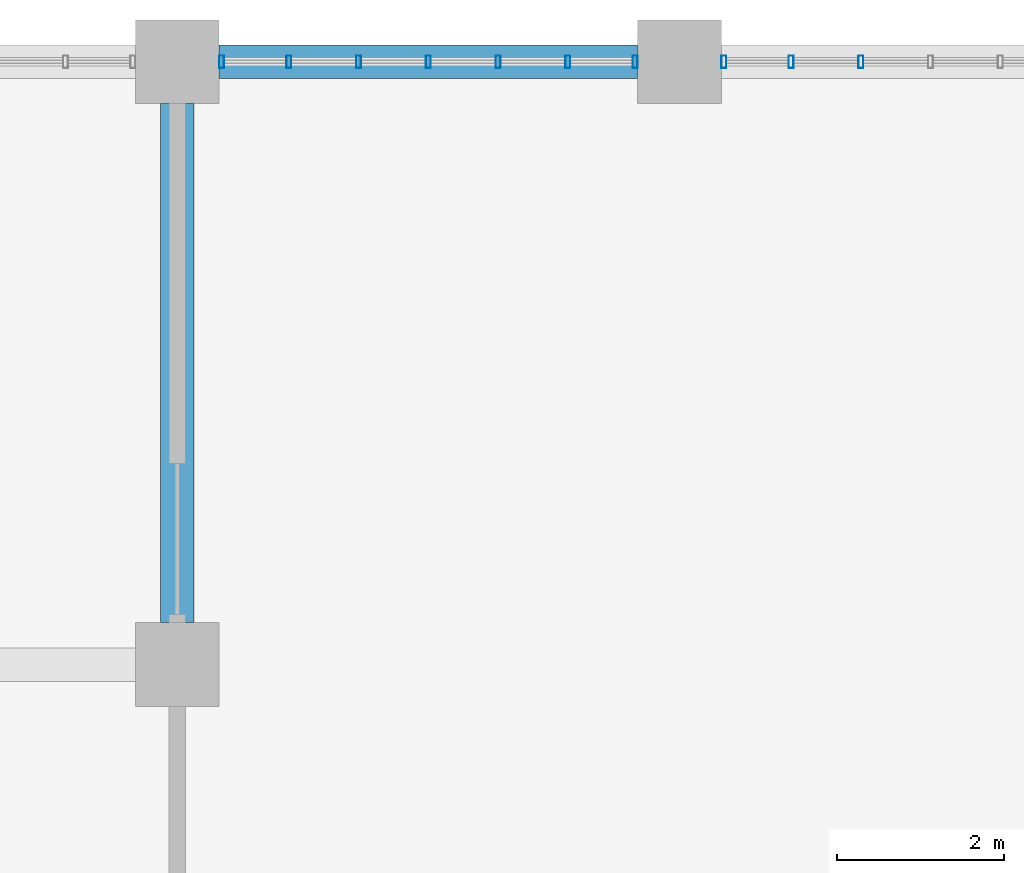
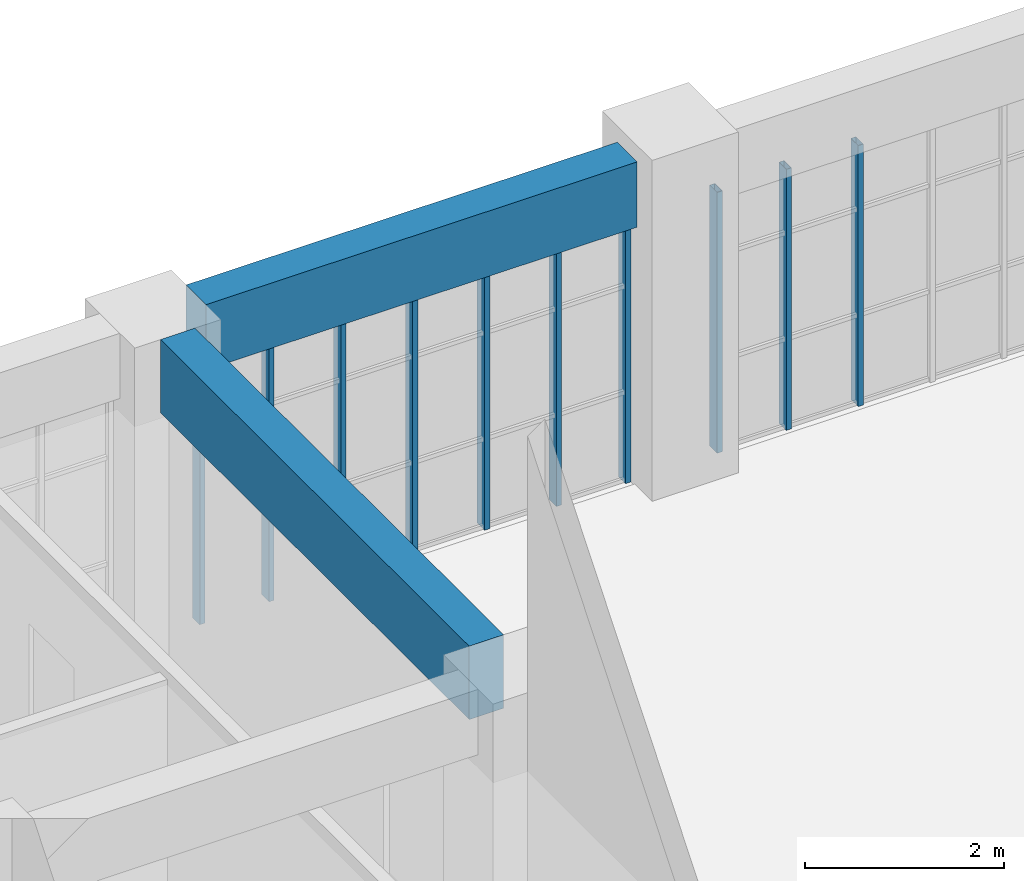
# One storey, part 42 of 92: 10 members, 2 beams, 2 elements without a shape of their own.
"""IFC4 building model written with IfcOpenShell, lengths in metres."""

from ifc_helpers import new_model, si_unit, direction, frame, origin, origin_2d, place, context, subcontext, project, spatial, rectangle, hollow_rectangle, extrude, material, material_profile, profile_set, type_object, element, aggregate, save


model = new_model("IFC4")

# Units and contexts
model_context = context("Model", 3, precision=1e-05, world=origin(), true_north=direction((0.0, 1.0)))
body_context = subcontext(model_context, "Body", "Model", "MODEL_VIEW")
ifc_project = project(units=[si_unit("LENGTHUNIT", "METRE"), si_unit("AREAUNIT", "SQUARE_METRE"), si_unit("VOLUMEUNIT", "CUBIC_METRE"), si_unit("PLANEANGLEUNIT", "RADIAN"), si_unit("MASSUNIT", "GRAM", prefix="KILO")], contexts=[model_context])

# Site, building, storey
site_placement = place(None, origin())
site = spatial("IfcSite", under=ifc_project, at=site_placement, CompositionType="ELEMENT")
building_placement = place(site_placement, origin())
building = spatial("IfcBuilding", under=site, at=building_placement, Name="Laocheng Heights Fire and Rescue Headquarters", CompositionType="ELEMENT")
storey_placement = place(building_placement, frame((0.0, 0.0, 12.60009765625)))
storey = spatial("IfcBuildingStorey", under=building, at=storey_placement, Name="L03", CompositionType="ELEMENT", Elevation=12.60009765625)

# Curtain wall, members
ifc_material_1 = material(Name="Dark anodised aluminium unitised curtain wall, low-e double glazing", Category="aluminium")
curtain_wall_type = type_object("IfcCurtainWallType", Name="CW 5000 x 3200 HQ CONTROL ROOM FACE", PredefinedType="NOTDEFINED", material=ifc_material_1)
curtain_wall_1_placement = place(storey_placement, origin())
curtain_wall_1 = element("IfcCurtainWall", 1, at=curtain_wall_1_placement, inside=storey, type_object=curtain_wall_type, Name="X21-X HQ NORTH L03", PredefinedType="NOTDEFINED")
ifc_material_2 = material(Name="Dark anodised aluminium 6063-T5 extrusion", Category="aluminium")
ifc_material_profile_1 = material_profile(ifc_material_2, hollow_rectangle(XDim=0.14990234375, YDim=0.06005859375, WallThickness=0.0029296875, at=origin_2d()), Name="AL MULLION 150x60x3 HQ CONTROL ROOM FACE")
ifc_profile_set_1 = profile_set([ifc_material_profile_1], Name="Dark anodised aluminium 6063-T5 extrusion")
member_type = type_object("IfcMemberType", Name="AL MULLION 150x60x3 HQ CONTROL ROOM FACE", PredefinedType="MULLION", material=ifc_profile_set_1)
member_1_placement = place(storey_placement, frame((48.530029296875, 72.0, 0.0), z_axis=(0.0, 0.0, 1.0), x_axis=(0.0, 1.0, 0.0)))
member_1 = element("IfcMember", 2, at=member_1_placement, type_object=member_type, Name="X21-X mullion 1", PredefinedType="MULLION", context=body_context, shape_type="SweptSolid", body=[
    extrude(hollow_rectangle(XDim=0.14990234375, YDim=0.06005859375, WallThickness=0.0029296875, at=origin_2d()), origin(), (0.0, 0.0, 1.0), 3.199951171875),
])
member_2_placement = place(storey_placement, frame((49.333251953125, 72.0, 0.0), z_axis=(0.0, 0.0, 1.0), x_axis=(0.0, 1.0, 0.0)))
member_2 = element("IfcMember", 3, at=member_2_placement, type_object=member_type, Name="X21-X mullion 2", PredefinedType="MULLION", context=body_context, shape_type="SweptSolid", body=[
    extrude(hollow_rectangle(XDim=0.14990234375, YDim=0.06005859375, WallThickness=0.0029296875, at=origin_2d()), origin(), (0.0, 0.0, 1.0), 3.199951171875),
])
member_3_placement = place(storey_placement, frame((50.166748046875, 72.0, 0.0), z_axis=(0.0, 0.0, 1.0), x_axis=(0.0, 1.0, 0.0)))
member_3 = element("IfcMember", 4, at=member_3_placement, type_object=member_type, Name="X21-X mullion 3", PredefinedType="MULLION", context=body_context, shape_type="SweptSolid", body=[
    extrude(hollow_rectangle(XDim=0.14990234375, YDim=0.06005859375, WallThickness=0.0029296875, at=origin_2d()), origin(), (0.0, 0.0, 1.0), 3.199951171875),
])
member_4_placement = place(storey_placement, frame((51.0, 72.0, 0.0), z_axis=(0.0, 0.0, 1.0), x_axis=(0.0, 1.0, 0.0)))
member_4 = element("IfcMember", 5, at=member_4_placement, type_object=member_type, Name="X21-X mullion 4", PredefinedType="MULLION", context=body_context, shape_type="SweptSolid", body=[
    extrude(hollow_rectangle(XDim=0.14990234375, YDim=0.06005859375, WallThickness=0.0029296875, at=origin_2d()), origin(), (0.0, 0.0, 1.0), 3.199951171875),
])
member_5_placement = place(storey_placement, frame((51.833251953125, 72.0, 0.0), z_axis=(0.0, 0.0, 1.0), x_axis=(0.0, 1.0, 0.0)))
member_5 = element("IfcMember", 6, at=member_5_placement, type_object=member_type, Name="X21-X mullion 5", PredefinedType="MULLION", context=body_context, shape_type="SweptSolid", body=[
    extrude(hollow_rectangle(XDim=0.14990234375, YDim=0.06005859375, WallThickness=0.0029296875, at=origin_2d()), origin(), (0.0, 0.0, 1.0), 3.199951171875),
])
member_6_placement = place(storey_placement, frame((52.666748046875, 72.0, 0.0), z_axis=(0.0, 0.0, 1.0), x_axis=(0.0, 1.0, 0.0)))
member_6 = element("IfcMember", 7, at=member_6_placement, type_object=member_type, Name="X21-X mullion 6", PredefinedType="MULLION", context=body_context, shape_type="SweptSolid", body=[
    extrude(hollow_rectangle(XDim=0.14990234375, YDim=0.06005859375, WallThickness=0.0029296875, at=origin_2d()), origin(), (0.0, 0.0, 1.0), 3.199951171875),
])
member_7_placement = place(storey_placement, frame((53.469970703125, 72.0, 0.0), z_axis=(0.0, 0.0, 1.0), x_axis=(0.0, 1.0, 0.0)))
member_7 = element("IfcMember", 8, at=member_7_placement, type_object=member_type, Name="X21-X mullion 7", PredefinedType="MULLION", context=body_context, shape_type="SweptSolid", body=[
    extrude(hollow_rectangle(XDim=0.14990234375, YDim=0.06005859375, WallThickness=0.0029296875, at=origin_2d()), origin(), (0.0, 0.0, 1.0), 3.199951171875),
])
aggregate(curtain_wall_1, [member_1, member_2, member_3, member_4, member_5, member_6, member_7])

curtain_wall_2_placement = place(storey_placement, origin())
curtain_wall_2 = element("IfcCurtainWall", 9, at=curtain_wall_2_placement, inside=storey, type_object=curtain_wall_type, Name="X21-X HQ NORTH L03", PredefinedType="NOTDEFINED")
member_8_placement = place(storey_placement, frame((54.530029296875, 72.0, 0.0), z_axis=(0.0, 0.0, 1.0), x_axis=(0.0, 1.0, 0.0)))
member_8 = element("IfcMember", 10, at=member_8_placement, type_object=member_type, Name="X21-X mullion 1", PredefinedType="MULLION", context=body_context, shape_type="SweptSolid", body=[
    extrude(hollow_rectangle(XDim=0.14990234375, YDim=0.06005859375, WallThickness=0.0029296875, at=origin_2d()), origin(), (0.0, 0.0, 1.0), 3.199951171875),
])
member_9_placement = place(storey_placement, frame((55.333251953125, 72.0, 0.0), z_axis=(0.0, 0.0, 1.0), x_axis=(0.0, 1.0, 0.0)))
member_9 = element("IfcMember", 11, at=member_9_placement, type_object=member_type, Name="X21-X mullion 2", PredefinedType="MULLION", context=body_context, shape_type="SweptSolid", body=[
    extrude(hollow_rectangle(XDim=0.14990234375, YDim=0.06005859375, WallThickness=0.0029296875, at=origin_2d()), origin(), (0.0, 0.0, 1.0), 3.199951171875),
])
member_10_placement = place(storey_placement, frame((56.166748046875, 72.0, 0.0), z_axis=(0.0, 0.0, 1.0), x_axis=(0.0, 1.0, 0.0)))
member_10 = element("IfcMember", 12, at=member_10_placement, type_object=member_type, Name="X21-X mullion 3", PredefinedType="MULLION", context=body_context, shape_type="SweptSolid", body=[
    extrude(hollow_rectangle(XDim=0.14990234375, YDim=0.06005859375, WallThickness=0.0029296875, at=origin_2d()), origin(), (0.0, 0.0, 1.0), 3.199951171875),
])
aggregate(curtain_wall_2, [member_8, member_9, member_10])

# Beams
ifc_material_3 = material(Name="Concrete C40", Category="concrete")
ifc_material_profile_2 = material_profile(ifc_material_3, rectangle(XDim=0.39990234375, YDim=0.800048828125, at=origin_2d()), Name="RC BEAM 400x800 HQ")
ifc_profile_set_2 = profile_set([ifc_material_profile_2], Name="Concrete C40")
beam_type_1 = type_object("IfcBeamType", Name="RC BEAM 400x800 HQ", PredefinedType="BEAM", material=ifc_profile_set_2)
beam_1_placement = place(storey_placement, frame((48.5, 72.0, 3.599853515625), z_axis=(1.0, 0.0, 0.0), x_axis=(0.0, 1.0, 0.0)))
element("IfcBeam", 13, at=beam_1_placement, inside=storey, type_object=beam_type_1, Name="HQ beam L03", PredefinedType="BEAM", context=body_context, shape_type="SweptSolid", body=[
    extrude(rectangle(XDim=0.39990234375, YDim=0.800048828125, at=origin_2d()), origin(), (0.0, 0.0, 1.0), 5.0),
])
ifc_material_4 = material(Name="Concrete C40", Category="concrete")
ifc_material_profile_3 = material_profile(ifc_material_4, rectangle(XDim=0.39990234375, YDim=0.89990234375, at=origin_2d()), Name="RC BEAM 400x900 HQ")
ifc_profile_set_3 = profile_set([ifc_material_profile_3], Name="Concrete C40")
beam_type_2 = type_object("IfcBeamType", Name="RC BEAM 400x900 HQ", PredefinedType="BEAM", material=ifc_profile_set_3)
beam_2_placement = place(storey_placement, frame((48.0, 65.300048828125, 3.5498046875), z_axis=(0.0, 1.0, 0.0), x_axis=(-1.0, 0.0, 0.0)))
element("IfcBeam", 14, at=beam_2_placement, inside=storey, type_object=beam_type_2, Name="HQ beam L03", PredefinedType="BEAM", context=body_context, shape_type="SweptSolid", body=[
    extrude(rectangle(XDim=0.39990234375, YDim=0.89990234375, at=origin_2d()), origin(), (0.0, 0.0, 1.0), 6.199951171875),
])

save(model, "model.ifc")
